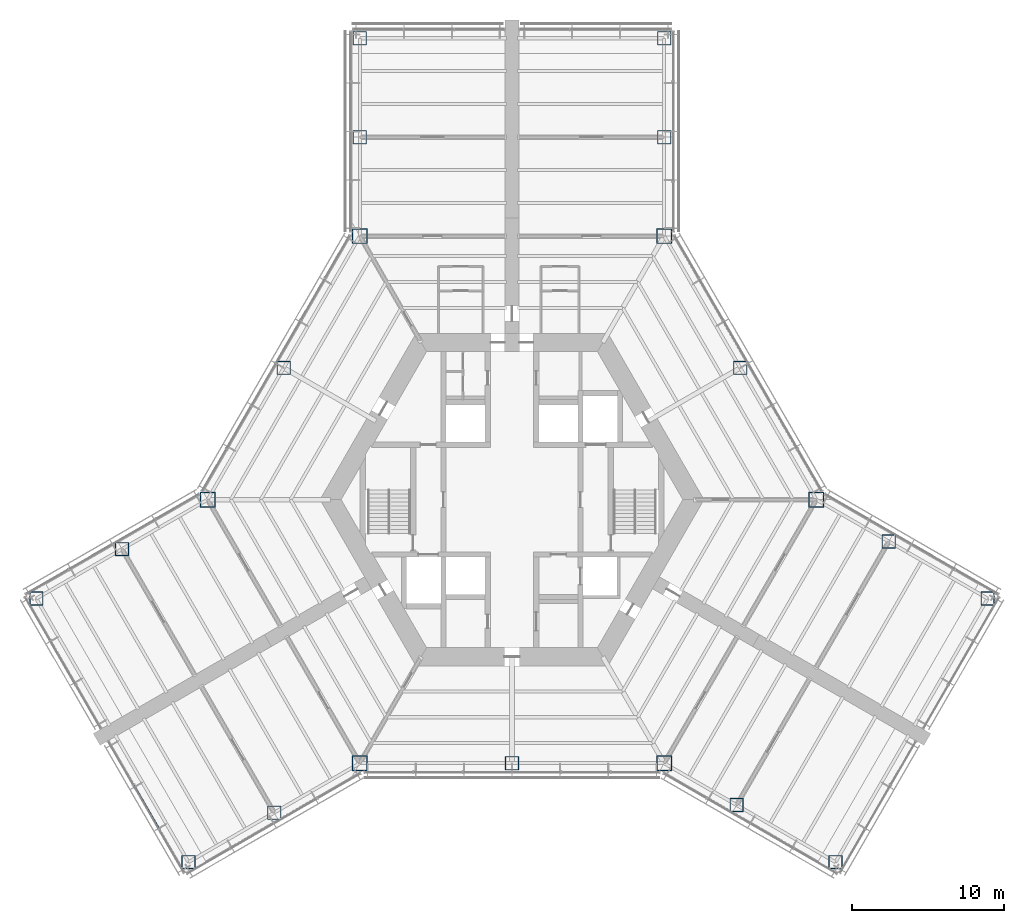
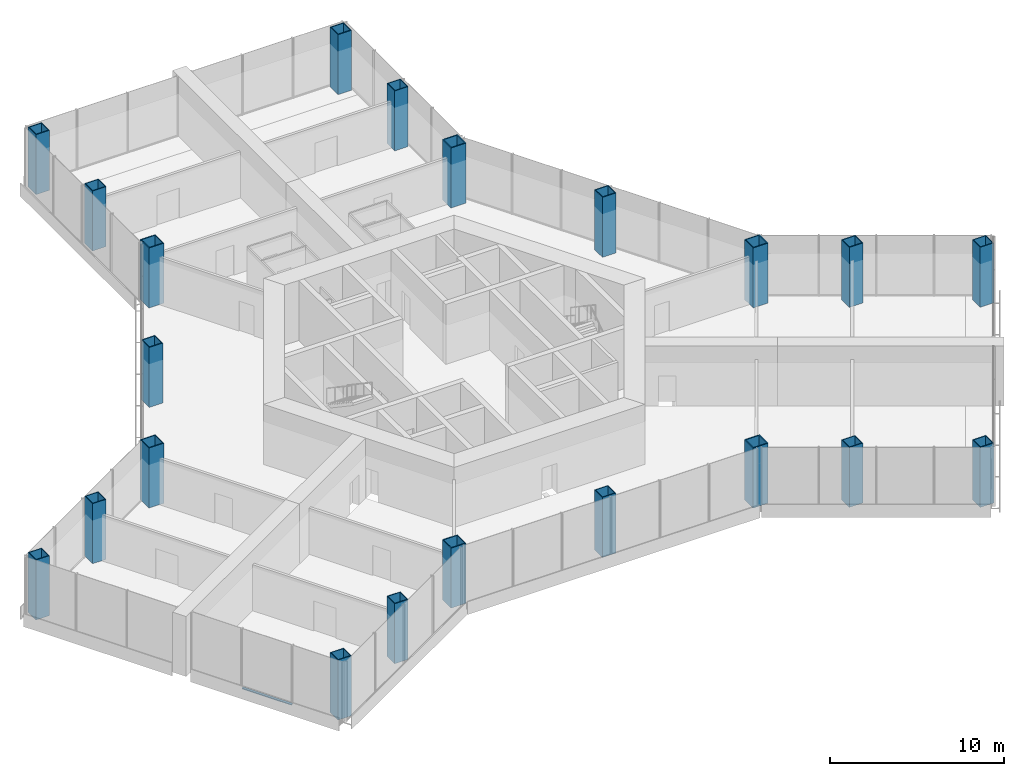
# One storey, part 1 of 15: 21 columns, 1 member, 1 element without a shape of its own.
"""IFC4 building model written with IfcOpenShell, lengths in metres."""

from ifc_helpers import new_model, si_unit, direction, frame, origin, origin_2d, place, context, subcontext, project, spatial, rectangle, hollow_rectangle, extrude, material, material_profile, profile_set, type_object, element, aggregate, save


model = new_model("IFC4")

# Units and contexts
model_context = context("Model", 3, precision=1e-05, world=origin(), true_north=direction((0.0, 1.0)))
body_context = subcontext(model_context, "Body", "Model", "MODEL_VIEW")
ifc_project = project(units=[si_unit("LENGTHUNIT", "METRE"), si_unit("AREAUNIT", "SQUARE_METRE"), si_unit("VOLUMEUNIT", "CUBIC_METRE"), si_unit("PLANEANGLEUNIT", "RADIAN"), si_unit("MASSUNIT", "GRAM", prefix="KILO")], contexts=[model_context])

# Site, building, storey
site_placement = place(None, origin())
site = spatial("IfcSite", under=ifc_project, at=site_placement, CompositionType="ELEMENT")
building_placement = place(site_placement, origin())
building = spatial("IfcBuilding", under=site, at=building_placement, Name="Kasaneha Research Tower", CompositionType="ELEMENT")
storey_placement = place(building_placement, frame((0.0, 0.0, 31.0)))
storey = spatial("IfcBuildingStorey", under=building, at=storey_placement, Name="L08", CompositionType="ELEMENT", Elevation=31.0)

# Columns
ifc_material_1 = material(Name="Steel SN490C", Category="steel")
ifc_material_profile_1 = material_profile(ifc_material_1, hollow_rectangle(XDim=1.0, YDim=1.0, WallThickness=0.06005859375, at=origin_2d()), Name="BOX-1000x1000x60")
ifc_profile_set_1 = profile_set([ifc_material_profile_1], Name="Steel SN490C")
column_type_1 = type_object("IfcColumnType", Name="C1A column BOX-1000x1000x60", PredefinedType="COLUMN", material=ifc_profile_set_1)
for number, where, z_axis, x_axis, name in (
    (1, (20.0, 0.0, 0.0), (0.0, 0.0, 1.0), (1.0, 0.0, 0.0), "Column V0 L08"),
    (2, (10.0, 17.320556640625, 0.0), (0.0, 0.0, 1.0), (1.0, 0.0, 0.0), "Column V1 L08"),
    (3, (-10.0, 17.320556640625, 0.0), (0.0, 0.0, 1.0), (1.0, 0.0, 0.0), "Column V2 L08"),
    (4, (-20.0, 0.0, 0.0), (0.0, 0.0, 1.0), (1.0, 0.0, 0.0), "Column V3 L08"),
    (5, (-10.0, -17.320556640625, 0.0), (0.0, 0.0, 1.0), (1.0, 0.0, 0.0), "Column V4 L08"),
    (6, (10.0, -17.320556640625, 0.0), (0.0, 0.0, 1.0), (1.0, 0.0, 0.0), "Column V5 L08"),
):
    element("IfcColumn", number, at=place(storey_placement, frame(where, z_axis=z_axis, x_axis=x_axis)), inside=storey, type_object=column_type_1, Name=name, PredefinedType="COLUMN", context=body_context, shape_type="SweptSolid", body=[
        extrude(hollow_rectangle(XDim=1.0, YDim=1.0, WallThickness=0.06005859375, at=origin_2d()), origin(), (0.0, 0.0, 1.0), 4.199951171875),
    ])
ifc_material_2 = material(Name="Steel SN490C", Category="steel")
ifc_material_profile_2 = material_profile(ifc_material_2, hollow_rectangle(XDim=0.89990234375, YDim=0.89990234375, WallThickness=0.050048828125, at=origin_2d()), Name="BOX-900x900x50")
ifc_profile_set_2 = profile_set([ifc_material_profile_2], Name="Steel SN490C")
column_type_2 = type_object("IfcColumnType", Name="C1B column BOX-900x900x50", PredefinedType="COLUMN", material=ifc_profile_set_2)
for number, where, z_axis, x_axis, name in (
    (7, (15.0, 8.66015625, 0.0), (0.0, 0.0, 1.0), (1.0, 0.0, 0.0), "Column M030 L08"),
    (8, (-15.0, 8.66015625, 0.0), (0.0, 0.0, 1.0), (1.0, 0.0, 0.0), "Column M150 L08"),
    (9, (0.0, -17.320556640625, 0.0), (0.0, 0.0, 1.0), (1.0, 0.0, 0.0), "Column M270 L08"),
    (10, (10.0, 23.820556640625, 0.0), (0.0, 0.0, 1.0), (1.0, 0.0, 0.0), "Column ASP L08"),
    (11, (10.0, 30.320556640625, 0.0), (0.0, 0.0, 1.0), (1.0, 0.0, 0.0), "Column ATP L08"),
    (12, (-10.0, 23.820556640625, 0.0), (0.0, 0.0, 1.0), (1.0, 0.0, 0.0), "Column ASN L08"),
    (13, (-10.0, 30.320556640625, 0.0), (0.0, 0.0, 1.0), (1.0, 0.0, 0.0), "Column ATN L08"),
    (14, (-25.629150390625, -3.25, 0.0), (0.0, 0.0, 1.0), (1.0, 0.0, 0.0), "Column BSP L08"),
    (15, (-31.25830078125, -6.5, 0.0), (0.0, 0.0, 1.0), (1.0, 0.0, 0.0), "Column BTP L08"),
    (16, (-15.629150390625, -20.570556640625, 0.0), (0.0, 0.0, 1.0), (1.0, 0.0, 0.0), "Column BSN L08"),
    (17, (-21.25830078125, -23.820556640625, 0.0), (0.0, 0.0, 1.0), (1.0, 0.0, 0.0), "Column BTN L08"),
    (18, (14.76318359375, -20.070556640625, 0.0), (0.0, 0.0, 1.0), (1.0, 0.0, 0.0), "Column CSP L08"),
    (19, (21.25830078125, -23.820556640625, 0.0), (0.0, 0.0, 1.0), (1.0, 0.0, 0.0), "Column CTP L08"),
    (20, (24.76318359375, -2.75, 0.0), (0.0, 0.0, 1.0), (1.0, 0.0, 0.0), "Column CSN L08"),
    (21, (31.25830078125, -6.5, 0.0), (0.0, 0.0, 1.0), (1.0, 0.0, 0.0), "Column CTN L08"),
):
    element("IfcColumn", number, at=place(storey_placement, frame(where, z_axis=z_axis, x_axis=x_axis)), inside=storey, type_object=column_type_2, Name=name, PredefinedType="COLUMN", context=body_context, shape_type="SweptSolid", body=[
        extrude(hollow_rectangle(XDim=0.89990234375, YDim=0.89990234375, WallThickness=0.050048828125, at=origin_2d()), origin(), (0.0, 0.0, 1.0), 4.199951171875),
    ])

# Curtain wall, member
ifc_material_3 = material(Name="Glass and aluminium", Category="aluminium")
curtain_wall_type = type_object("IfcCurtainWallType", Name="Dry laboratory curtain wall", PredefinedType="USERDEFINED", material=ifc_material_3)
curtain_wall_placement = place(storey_placement, origin())
curtain_wall = element("IfcCurtainWall", 22, at=curtain_wall_placement, inside=storey, type_object=curtain_wall_type, Name="CW-L2 L08 run 15a", ObjectType="UNITISED CURTAIN WALL", PredefinedType="USERDEFINED")
ifc_material_4 = material(Name="Aluminium 6063-T6", Category="aluminium")
ifc_material_profile_3 = material_profile(ifc_material_4, rectangle(XDim=0.14990234375, YDim=0.06494140625, at=origin_2d()), Name="CW-L2 transom 150x65")
ifc_profile_set_3 = profile_set([ifc_material_profile_3], Name="Aluminium 6063-T6")
member_type = type_object("IfcMemberType", Name="CW-L2 transom", PredefinedType="USERDEFINED", material=ifc_profile_set_3)
member_placement = place(storey_placement, frame((-24.86181640625, -18.779296875, 0.032470703125), z_axis=(0.50000765355, -0.86602098496, 0.0), x_axis=(0.86602098496, 0.50000765355, 0.0)))
member = element("IfcMember", 23, at=member_placement, type_object=member_type, Name="CW-L2 transom 2", ObjectType="TRANSOM", PredefinedType="USERDEFINED", context=body_context, shape_type="SweptSolid", body=[
    extrude(rectangle(XDim=0.14990234375, YDim=0.06494140625, at=origin_2d()), origin(), (0.0, 0.0, 1.0), 3.28515625),
])
aggregate(curtain_wall, [member])

save(model, "model.ifc")
